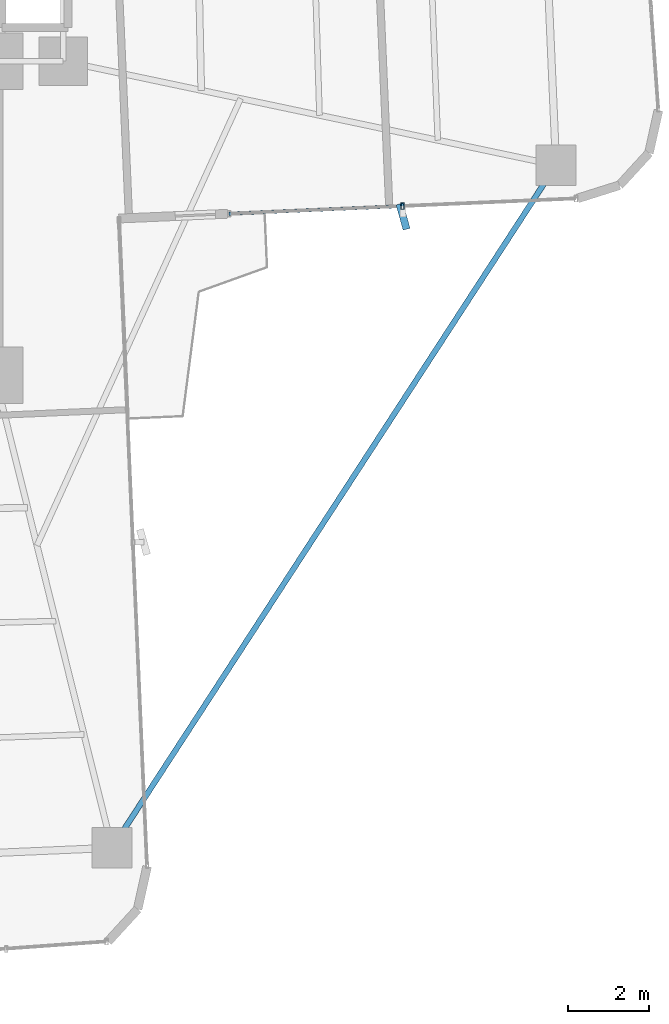
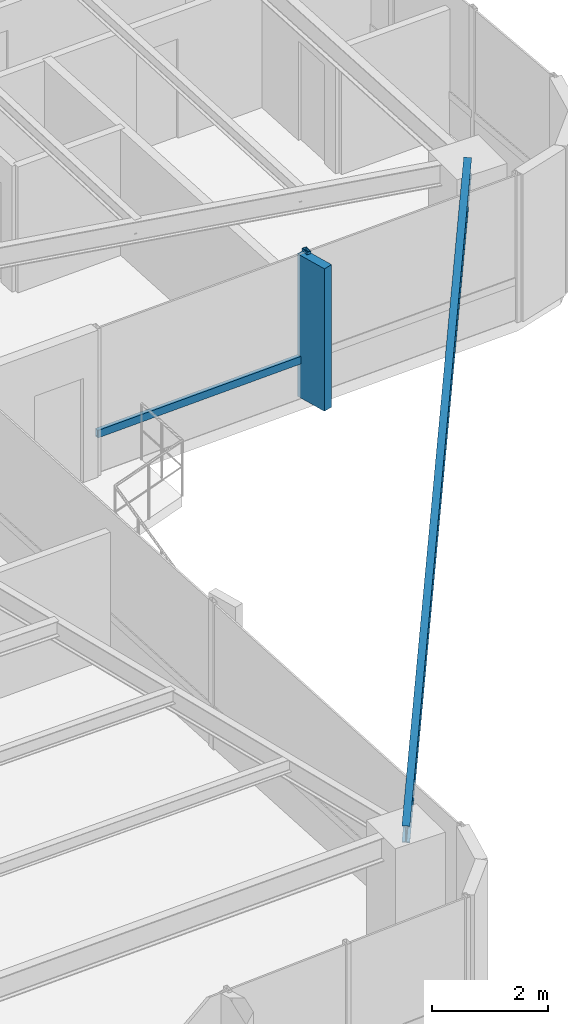
# One storey, part 14 of 26: 3 members, 1 beam, 1 element without a shape of its own.
"""IFC4 building model written with IfcOpenShell, lengths in metres."""

from ifc_helpers import new_model, si_unit, direction, frame, origin, origin_2d, place, context, subcontext, project, spatial, rectangle, hollow_rectangle, i_section, extrude, source, transform, mapped, material, material_profile, profile_set, type_object, element, aggregate, save


model = new_model("IFC4")

# Units and contexts
model_context = context("Model", 3, precision=1e-05, world=origin(), true_north=direction((0.0, 1.0)))
body_context = subcontext(model_context, "Body", "Model", "MODEL_VIEW")
ifc_project = project(units=[si_unit("LENGTHUNIT", "METRE"), si_unit("AREAUNIT", "SQUARE_METRE"), si_unit("VOLUMEUNIT", "CUBIC_METRE"), si_unit("PLANEANGLEUNIT", "RADIAN"), si_unit("MASSUNIT", "GRAM", prefix="KILO")], contexts=[model_context])

# Site, building, storey
site_placement = place(None, origin())
site = spatial("IfcSite", under=ifc_project, at=site_placement, CompositionType="ELEMENT")
building_placement = place(site_placement, origin())
building = spatial("IfcBuilding", under=site, at=building_placement, Name="Sahyath Konkavel Grand Hotel", CompositionType="ELEMENT")
storey_placement = place(building_placement, frame((0.0, 0.0, 83.5)))
storey = spatial("IfcBuildingStorey", under=building, at=storey_placement, Name="L22", CompositionType="ELEMENT", Elevation=83.5)

# Beam
ifc_material_1 = material(Name="Steel E350", Category="steel")
ifc_material_profile_1 = material_profile(ifc_material_1, i_section(OverallWidth=0.139892578125, OverallDepth=0.35009765625, WebThickness=0.008056640625, FlangeThickness=0.01416015625, FilletRadius=0.013916015625, at=origin_2d()), Name="ISMB 350")
ifc_profile_set_1 = profile_set([ifc_material_profile_1], Name="Steel E350")
beam_type = type_object("IfcBeamType", Name="BM-ISMB350", PredefinedType="BEAM", material=ifc_profile_set_1)
shared_shape_1 = source(origin(), body_context, "Body", "SweptSolid", [
    extrude(i_section(OverallWidth=0.139892578125, OverallDepth=0.35009765625, WebThickness=0.008056640625, FlangeThickness=0.01416015625, FilletRadius=0.013916015625, at=origin_2d()), origin(), (0.0, 0.0, 1.0), 20.21533203125),
])
beam_placement = place(storey_placement, frame((17.734130859375, -4.981201171875, 2.93505859375), z_axis=(-0.545191244931, -0.838311700056, 0.0), x_axis=(0.838311700056, -0.545191244931, 0.0)))
element("IfcBeam", 1, at=beam_placement, inside=storey, type_object=beam_type, Name="L22 Re-Entrant Tie Beam SE", PredefinedType="BEAM", context=body_context, shape_type="MappedRepresentation", body=[
    mapped(shared_shape_1, transform((0.0, 0.0, 0.0), scale=1.0)),
])

# Curtain wall, members
ifc_material_2 = material(Name="Anodised Bronze Aluminium & Low-E Glazing", Category="aluminium")
curtain_wall_type = type_object("IfcCurtainWallType", Name="CW-ZONE2", PredefinedType="NOTDEFINED", material=ifc_material_2)
curtain_wall_placement = place(storey_placement, origin())
curtain_wall = element("IfcCurtainWall", 2, at=curtain_wall_placement, inside=storey, type_object=curtain_wall_type, Name="L22 Unitised Curtain Wall F0", PredefinedType="NOTDEFINED")
ifc_material_3 = material(Name="Warm Buff Sandstone Cladding on Concrete C50/60", Category="masonry")
ifc_material_profile_2 = material_profile(ifc_material_3, rectangle(XDim=0.179931640625, YDim=0.64990234375, at=origin_2d()), Name="FIN 180x650")
ifc_profile_set_2 = profile_set([ifc_material_profile_2], Name="Warm Buff Sandstone Cladding on Concrete C50/60")
member_type_1 = type_object("IfcMemberType", Name="FIN-SANDSTONE-650", PredefinedType="MULLION", material=ifc_profile_set_2)
shared_shape_2 = source(origin(), body_context, "Body", "SweptSolid", [
    extrude(rectangle(XDim=0.179931640625, YDim=0.64990234375, at=origin_2d()), origin(), (0.0, 0.0, 1.0), 3.010009765625),
])
member_1_placement = place(storey_placement, frame((13.936279296875, -6.258056640625, 0.050048828125), z_axis=(0.0, 0.0, 1.0), x_axis=(0.962974590644, 0.269592169347, 0.0)))
member_1 = element("IfcMember", 3, at=member_1_placement, type_object=member_type_1, Name="L22 Sandstone Vertical Solar Fin FIN F0-1", PredefinedType="MULLION", context=body_context, shape_type="MappedRepresentation", body=[
    mapped(shared_shape_2, transform((0.0, 0.0, 0.0), scale=1.0)),
])
ifc_material_4 = material(Name="Anodised Bronze Aluminium", Category="aluminium")
ifc_material_profile_3 = material_profile(ifc_material_4, hollow_rectangle(XDim=0.080078125, YDim=0.159912109375, WallThickness=0.006103515625, at=origin_2d()), Name="RHS 160x80x6")
ifc_profile_set_3 = profile_set([ifc_material_profile_3], Name="Anodised Bronze Aluminium")
member_type_2 = type_object("IfcMemberType", Name="CW-MUL-160", PredefinedType="MULLION", material=ifc_profile_set_3)
shared_shape_3 = source(origin(), body_context, "Body", "SweptSolid", [
    extrude(hollow_rectangle(XDim=0.080078125, YDim=0.159912109375, WallThickness=0.006103515625, at=origin_2d()), origin(), (0.0, 0.0, 1.0), 3.110107421875),
])
member_2_placement = place(storey_placement, frame((13.9248046875, -5.998291015625, 0.0), z_axis=(0.0, 0.0, 1.0), x_axis=(1.0, 0.0, 0.0)))
member_2 = element("IfcMember", 4, at=member_2_placement, type_object=member_type_2, Name="L22 Curtain Wall Mullion F0-1", PredefinedType="MULLION", context=body_context, shape_type="MappedRepresentation", body=[
    mapped(shared_shape_3, transform((0.0, 0.0, 0.0), scale=1.0)),
])
ifc_material_profile_4 = material_profile(ifc_material_4, hollow_rectangle(XDim=0.080078125, YDim=0.159912109375, WallThickness=0.006103515625, at=origin_2d()), Name="RHS 160x80x6")
ifc_profile_set_4 = profile_set([ifc_material_profile_4], Name="Anodised Bronze Aluminium")
member_type_3 = type_object("IfcMemberType", Name="CW-TRN-160", PredefinedType="USERDEFINED", material=ifc_profile_set_4)
shared_shape_4 = source(origin(), body_context, "Body", "SweptSolid", [
    extrude(hollow_rectangle(XDim=0.080078125, YDim=0.159912109375, WallThickness=0.006103515625, at=origin_2d()), origin(), (0.0, 0.0, 1.0), 4.31005859375),
])
member_3_placement = place(storey_placement, frame((9.618896484375, -6.186279296875, 0.85009765625), z_axis=(0.999048340188, 0.043616670746, 0.0), x_axis=(-0.043616670746, 0.999048340188, 0.0)))
member_3 = element("IfcMember", 5, at=member_3_placement, type_object=member_type_3, Name="L22 Curtain Wall Transom F0-0-spandrel", ObjectType="TRANSOM", PredefinedType="USERDEFINED", context=body_context, shape_type="MappedRepresentation", body=[
    mapped(shared_shape_4, transform((0.0, 0.0, 0.0), scale=1.0)),
])
aggregate(curtain_wall, [member_2, member_1, member_3])

save(model, "model.ifc")
